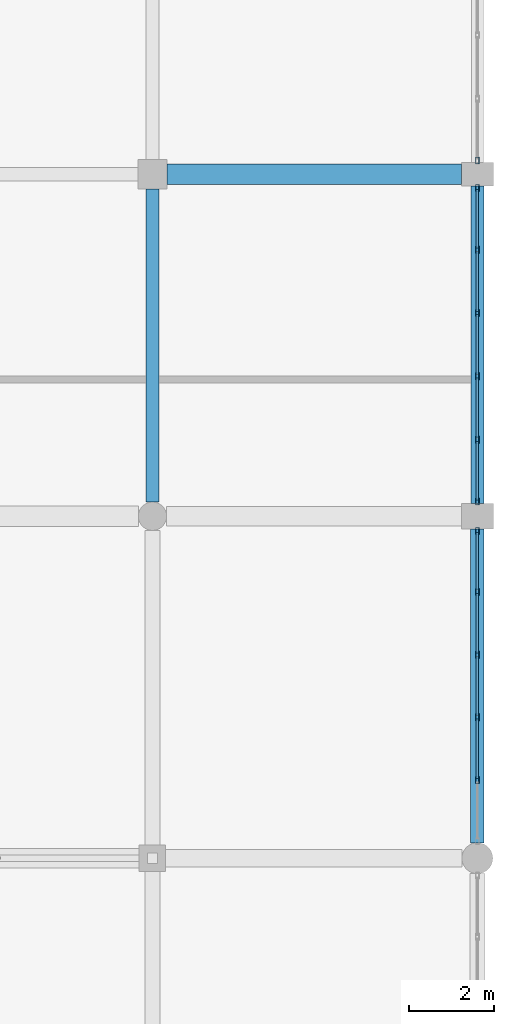
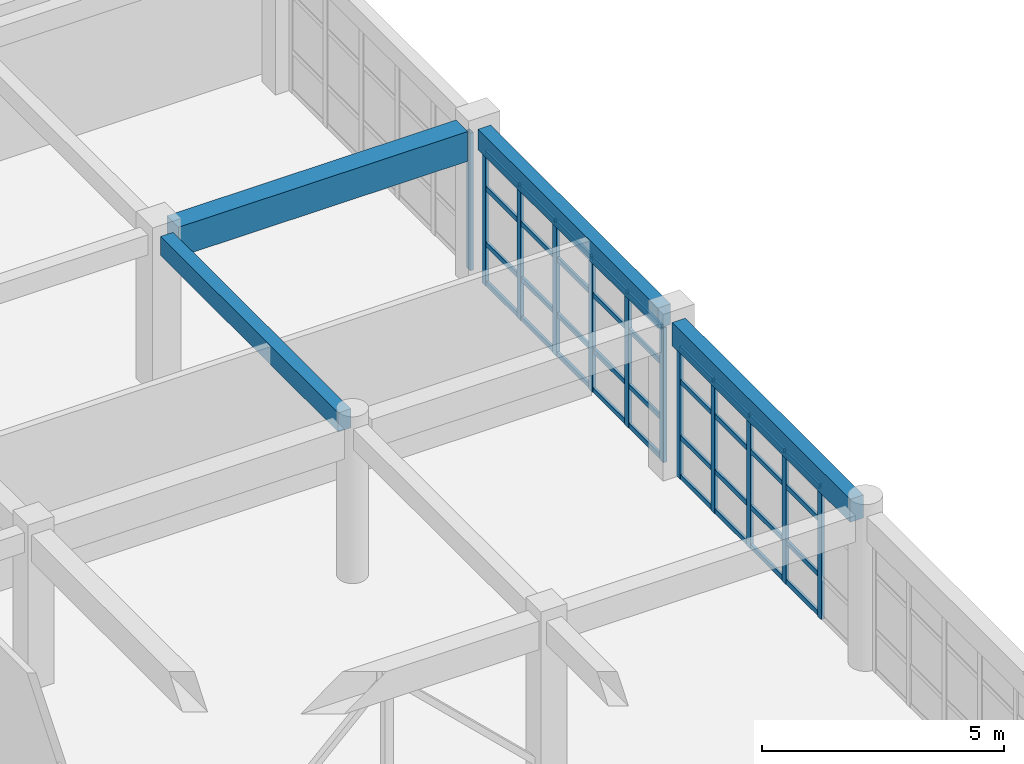
# One storey, part 129 of 195: 48 members, 4 beams, 3 elements without a shape of their own.
"""IFC4 building model written with IfcOpenShell, lengths in metres."""

from ifc_helpers import new_model, si_unit, direction, frame, origin, origin_2d, place, context, subcontext, project, spatial, rectangle, hollow_rectangle, extrude, material, material_profile, profile_set, type_object, element, aggregate, save


model = new_model("IFC4")

# Units and contexts
model_context = context("Model", 3, precision=1e-05, world=origin(), true_north=direction((0.0, 1.0)))
body_context = subcontext(model_context, "Body", "Model", "MODEL_VIEW")
ifc_project = project(units=[si_unit("LENGTHUNIT", "METRE"), si_unit("AREAUNIT", "SQUARE_METRE"), si_unit("VOLUMEUNIT", "CUBIC_METRE"), si_unit("PLANEANGLEUNIT", "RADIAN"), si_unit("MASSUNIT", "GRAM", prefix="KILO")], contexts=[model_context])

# Site, building, storey
site_placement = place(None, origin())
site = spatial("IfcSite", under=ifc_project, at=site_placement, CompositionType="ELEMENT")
building_placement = place(site_placement, origin())
building = spatial("IfcBuilding", under=site, at=building_placement, Name="Kharva Crest Polytechnic", CompositionType="ELEMENT")
storey_placement = place(building_placement, frame((0.0, 0.0, 9.0)))
storey = spatial("IfcBuildingStorey", under=building, at=storey_placement, Name="L02", CompositionType="ELEMENT", Elevation=9.0)

# Beams
ifc_material_1 = material(Name="Concrete C35/45", Category="concrete")
ifc_material_profile_1 = material_profile(ifc_material_1, rectangle(XDim=0.300048828125, YDim=0.47998046875, at=origin_2d()), Name="RECT 300 X 480")
ifc_profile_set_1 = profile_set([ifc_material_profile_1], Name="Concrete C35/45")
beam_type_1 = type_object("IfcBeamType", Name="BM-RC-300X480", PredefinedType="BEAM", material=ifc_profile_set_1)
beam_1_placement = place(storey_placement, frame((176.39990234375, 55.1298828125, 3.679931640625), z_axis=(0.0, 1.0, 0.0), x_axis=(-1.0, 0.0, 0.0)))
element("IfcBeam", 1, at=beam_1_placement, inside=storey, type_object=beam_type_1, Name="L02 Girder 23/H-J", PredefinedType="BEAM", context=body_context, shape_type="SweptSolid", body=[
    extrude(rectangle(XDim=0.300048828125, YDim=0.47998046875, at=origin_2d()), origin(), (0.0, 0.0, 1.0), 7.330078125),
])
ifc_material_profile_2 = material_profile(ifc_material_1, rectangle(XDim=0.47998046875, YDim=0.75, at=origin_2d()), Name="RECT 480 X 750")
ifc_profile_set_2 = profile_set([ifc_material_profile_2], Name="Concrete C35/45")
beam_type_2 = type_object("IfcBeamType", Name="BM-RC-480X750", PredefinedType="BEAM", material=ifc_profile_set_2)
beam_2_placement = place(storey_placement, frame((176.739990234375, 62.800048828125, 3.544921875), z_axis=(1.0, 0.0, 0.0), x_axis=(0.0, 1.0, 0.0)))
element("IfcBeam", 2, at=beam_2_placement, inside=storey, type_object=beam_type_2, Name="L02 Beam J/23-24", PredefinedType="BEAM", context=body_context, shape_type="SweptSolid", body=[
    extrude(rectangle(XDim=0.47998046875, YDim=0.75, at=origin_2d()), origin(), (0.0, 0.0, 1.0), 6.885009765625),
])

# Curtain wall, members
ifc_material_2 = material(Name="Tempered insulated glass", Category="glass")
curtain_wall_type = type_object("IfcCurtainWallType", Name="CW-SYS-COURT", PredefinedType="USERDEFINED", material=ifc_material_2)
curtain_wall_1_placement = place(storey_placement, origin())
curtain_wall_1 = element("IfcCurtainWall", 3, at=curtain_wall_1_placement, inside=storey, type_object=curtain_wall_type, Name="L02 Glazed Curtain Wall CW-104", ObjectType="CURTAIN WALL", PredefinedType="USERDEFINED")
ifc_material_3 = material(Name="Steel S355", Category="steel")
ifc_material_profile_3 = material_profile(ifc_material_3, hollow_rectangle(XDim=0.080078125, YDim=0.159912109375, WallThickness=0.0048828125, at=origin_2d()), Name="RHS 160X80X5.0")
ifc_profile_set_3 = profile_set([ifc_material_profile_3], Name="Steel S355")
member_type_1 = type_object("IfcMemberType", Name="CWM-RHS160X80", PredefinedType="MULLION", material=ifc_profile_set_3)
member_1_placement = place(storey_placement, frame((184.0, 48.631103515625, 0.0), z_axis=(0.0, 0.0, 1.0), x_axis=(-1.0, 0.0, 0.0)))
member_1 = element("IfcMember", 4, at=member_1_placement, type_object=member_type_1, Name="CW-104 mullion 2", PredefinedType="MULLION", context=body_context, shape_type="SweptSolid", body=[
    extrude(hollow_rectangle(XDim=0.080078125, YDim=0.159912109375, WallThickness=0.0048828125, at=origin_2d()), origin(), (0.0, 0.0, 1.0), 3.340087890625),
])
member_2_placement = place(storey_placement, frame((184.0, 50.096923828125, 0.0), z_axis=(0.0, 0.0, 1.0), x_axis=(-1.0, 0.0, 0.0)))
member_2 = element("IfcMember", 5, at=member_2_placement, type_object=member_type_1, Name="CW-104 mullion 3", PredefinedType="MULLION", context=body_context, shape_type="SweptSolid", body=[
    extrude(hollow_rectangle(XDim=0.080078125, YDim=0.159912109375, WallThickness=0.0048828125, at=origin_2d()), origin(), (0.0, 0.0, 1.0), 3.340087890625),
])
member_3_placement = place(storey_placement, frame((184.0, 51.56298828125, 0.0), z_axis=(0.0, 0.0, 1.0), x_axis=(-1.0, 0.0, 0.0)))
member_3 = element("IfcMember", 6, at=member_3_placement, type_object=member_type_1, Name="CW-104 mullion 4", PredefinedType="MULLION", context=body_context, shape_type="SweptSolid", body=[
    extrude(hollow_rectangle(XDim=0.080078125, YDim=0.159912109375, WallThickness=0.0048828125, at=origin_2d()), origin(), (0.0, 0.0, 1.0), 3.340087890625),
])
member_4_placement = place(storey_placement, frame((184.0, 53.029052734375, 0.0), z_axis=(0.0, 0.0, 1.0), x_axis=(-1.0, 0.0, 0.0)))
member_4 = element("IfcMember", 7, at=member_4_placement, type_object=member_type_1, Name="CW-104 mullion 5", PredefinedType="MULLION", context=body_context, shape_type="SweptSolid", body=[
    extrude(hollow_rectangle(XDim=0.080078125, YDim=0.159912109375, WallThickness=0.0048828125, at=origin_2d()), origin(), (0.0, 0.0, 1.0), 3.340087890625),
])
member_5_placement = place(storey_placement, frame((184.0, 54.455078125, 0.0), z_axis=(0.0, 0.0, 1.0), x_axis=(-1.0, 0.0, 0.0)))
member_5 = element("IfcMember", 8, at=member_5_placement, type_object=member_type_1, Name="CW-104 mullion 6", PredefinedType="MULLION", context=body_context, shape_type="SweptSolid", body=[
    extrude(hollow_rectangle(XDim=0.080078125, YDim=0.159912109375, WallThickness=0.0048828125, at=origin_2d()), origin(), (0.0, 0.0, 1.0), 3.340087890625),
])

curtain_wall_2_placement = place(storey_placement, origin())
curtain_wall_2 = element("IfcCurtainWall", 9, at=curtain_wall_2_placement, inside=storey, type_object=curtain_wall_type, Name="L02 Glazed Curtain Wall CW-105", ObjectType="CURTAIN WALL", PredefinedType="USERDEFINED")
member_6_placement = place(storey_placement, frame((184.0, 55.14501953125, 0.0), z_axis=(0.0, 0.0, 1.0), x_axis=(-1.0, 0.0, 0.0)))
member_6 = element("IfcMember", 10, at=member_6_placement, type_object=member_type_1, Name="CW-105 mullion 1", PredefinedType="MULLION", context=body_context, shape_type="SweptSolid", body=[
    extrude(hollow_rectangle(XDim=0.080078125, YDim=0.159912109375, WallThickness=0.0048828125, at=origin_2d()), origin(), (0.0, 0.0, 1.0), 3.39990234375),
])
member_7_placement = place(storey_placement, frame((184.0, 56.587890625, 0.0), z_axis=(0.0, 0.0, 1.0), x_axis=(-1.0, 0.0, 0.0)))
member_7 = element("IfcMember", 11, at=member_7_placement, type_object=member_type_1, Name="CW-105 mullion 2", PredefinedType="MULLION", context=body_context, shape_type="SweptSolid", body=[
    extrude(hollow_rectangle(XDim=0.080078125, YDim=0.159912109375, WallThickness=0.0048828125, at=origin_2d()), origin(), (0.0, 0.0, 1.0), 3.39990234375),
])
member_8_placement = place(storey_placement, frame((184.0, 58.071044921875, 0.0), z_axis=(0.0, 0.0, 1.0), x_axis=(-1.0, 0.0, 0.0)))
member_8 = element("IfcMember", 12, at=member_8_placement, type_object=member_type_1, Name="CW-105 mullion 3", PredefinedType="MULLION", context=body_context, shape_type="SweptSolid", body=[
    extrude(hollow_rectangle(XDim=0.080078125, YDim=0.159912109375, WallThickness=0.0048828125, at=origin_2d()), origin(), (0.0, 0.0, 1.0), 3.39990234375),
])
member_9_placement = place(storey_placement, frame((184.0, 59.553955078125, 0.0), z_axis=(0.0, 0.0, 1.0), x_axis=(-1.0, 0.0, 0.0)))
member_9 = element("IfcMember", 13, at=member_9_placement, type_object=member_type_1, Name="CW-105 mullion 4", PredefinedType="MULLION", context=body_context, shape_type="SweptSolid", body=[
    extrude(hollow_rectangle(XDim=0.080078125, YDim=0.159912109375, WallThickness=0.0048828125, at=origin_2d()), origin(), (0.0, 0.0, 1.0), 3.39990234375),
])
member_10_placement = place(storey_placement, frame((184.0, 61.037109375, 0.0), z_axis=(0.0, 0.0, 1.0), x_axis=(-1.0, 0.0, 0.0)))
member_10 = element("IfcMember", 14, at=member_10_placement, type_object=member_type_1, Name="CW-105 mullion 5", PredefinedType="MULLION", context=body_context, shape_type="SweptSolid", body=[
    extrude(hollow_rectangle(XDim=0.080078125, YDim=0.159912109375, WallThickness=0.0048828125, at=origin_2d()), origin(), (0.0, 0.0, 1.0), 3.39990234375),
])
member_11_placement = place(storey_placement, frame((184.0, 62.47998046875, 0.0), z_axis=(0.0, 0.0, 1.0), x_axis=(-1.0, 0.0, 0.0)))
member_11 = element("IfcMember", 15, at=member_11_placement, type_object=member_type_1, Name="CW-105 mullion 6", PredefinedType="MULLION", context=body_context, shape_type="SweptSolid", body=[
    extrude(hollow_rectangle(XDim=0.080078125, YDim=0.159912109375, WallThickness=0.0048828125, at=origin_2d()), origin(), (0.0, 0.0, 1.0), 3.39990234375),
])

# Curtain wall, member
curtain_wall_3_placement = place(storey_placement, origin())
curtain_wall_3 = element("IfcCurtainWall", 16, at=curtain_wall_3_placement, inside=storey, type_object=curtain_wall_type, Name="L02 Glazed Curtain Wall CW-106", ObjectType="CURTAIN WALL", PredefinedType="USERDEFINED")
member_12_placement = place(storey_placement, frame((184.0, 63.1201171875, 0.0), z_axis=(0.0, 0.0, 1.0), x_axis=(-1.0, 0.0, 0.0)))
member_12 = element("IfcMember", 17, at=member_12_placement, type_object=member_type_1, Name="CW-106 mullion 1", PredefinedType="MULLION", context=body_context, shape_type="SweptSolid", body=[
    extrude(hollow_rectangle(XDim=0.080078125, YDim=0.159912109375, WallThickness=0.0048828125, at=origin_2d()), origin(), (0.0, 0.0, 1.0), 3.4599609375),
])
aggregate(curtain_wall_3, [member_12])

# Member
ifc_material_profile_4 = material_profile(ifc_material_3, hollow_rectangle(XDim=0.06005859375, YDim=0.1201171875, WallThickness=0.00390625, at=origin_2d()), Name="RHS 120X60X4.0")
ifc_profile_set_4 = profile_set([ifc_material_profile_4], Name="Steel S355")
member_type_2 = type_object("IfcMemberType", Name="CWT-RHS120X60", PredefinedType="USERDEFINED", material=ifc_profile_set_4)
member_13_placement = place(storey_placement, frame((184.0, 48.6708984375, 0.06005859375), z_axis=(0.0, 1.0, 0.0), x_axis=(-1.0, 0.0, 0.0)))
member_13 = element("IfcMember", 18, at=member_13_placement, type_object=member_type_2, Name="CW-104 transom 2.1", ObjectType="TRANSOM", PredefinedType="USERDEFINED", context=body_context, shape_type="SweptSolid", body=[
    extrude(hollow_rectangle(XDim=0.06005859375, YDim=0.1201171875, WallThickness=0.00390625, at=origin_2d()), origin(), (0.0, 0.0, 1.0), 1.385986328125),
])

member_14_placement = place(storey_placement, frame((184.0, 48.6708984375, 1.050048828125), z_axis=(0.0, 1.0, 0.0), x_axis=(-1.0, 0.0, 0.0)))
member_14 = element("IfcMember", 19, at=member_14_placement, type_object=member_type_2, Name="CW-104 transom 2.2", ObjectType="TRANSOM", PredefinedType="USERDEFINED", context=body_context, shape_type="SweptSolid", body=[
    extrude(hollow_rectangle(XDim=0.06005859375, YDim=0.1201171875, WallThickness=0.00390625, at=origin_2d()), origin(), (0.0, 0.0, 1.0), 1.385986328125),
])

member_15_placement = place(storey_placement, frame((184.0, 48.6708984375, 2.449951171875), z_axis=(0.0, 1.0, 0.0), x_axis=(-1.0, 0.0, 0.0)))
member_15 = element("IfcMember", 20, at=member_15_placement, type_object=member_type_2, Name="CW-104 transom 2.3", ObjectType="TRANSOM", PredefinedType="USERDEFINED", context=body_context, shape_type="SweptSolid", body=[
    extrude(hollow_rectangle(XDim=0.06005859375, YDim=0.1201171875, WallThickness=0.00390625, at=origin_2d()), origin(), (0.0, 0.0, 1.0), 1.385986328125),
])

member_16_placement = place(storey_placement, frame((184.0, 48.6708984375, 3.280029296875), z_axis=(0.0, 1.0, 0.0), x_axis=(-1.0, 0.0, 0.0)))
member_16 = element("IfcMember", 21, at=member_16_placement, type_object=member_type_2, Name="CW-104 transom 2.4", ObjectType="TRANSOM", PredefinedType="USERDEFINED", context=body_context, shape_type="SweptSolid", body=[
    extrude(hollow_rectangle(XDim=0.06005859375, YDim=0.1201171875, WallThickness=0.00390625, at=origin_2d()), origin(), (0.0, 0.0, 1.0), 1.385986328125),
])

member_17_placement = place(storey_placement, frame((184.0, 50.136962890625, 0.06005859375), z_axis=(0.0, 1.0, 0.0), x_axis=(-1.0, 0.0, 0.0)))
member_17 = element("IfcMember", 22, at=member_17_placement, type_object=member_type_2, Name="CW-104 transom 3.1", ObjectType="TRANSOM", PredefinedType="USERDEFINED", context=body_context, shape_type="SweptSolid", body=[
    extrude(hollow_rectangle(XDim=0.06005859375, YDim=0.1201171875, WallThickness=0.00390625, at=origin_2d()), origin(), (0.0, 0.0, 1.0), 1.385986328125),
])

member_18_placement = place(storey_placement, frame((184.0, 50.136962890625, 1.050048828125), z_axis=(0.0, 1.0, 0.0), x_axis=(-1.0, 0.0, 0.0)))
member_18 = element("IfcMember", 23, at=member_18_placement, type_object=member_type_2, Name="CW-104 transom 3.2", ObjectType="TRANSOM", PredefinedType="USERDEFINED", context=body_context, shape_type="SweptSolid", body=[
    extrude(hollow_rectangle(XDim=0.06005859375, YDim=0.1201171875, WallThickness=0.00390625, at=origin_2d()), origin(), (0.0, 0.0, 1.0), 1.385986328125),
])

member_19_placement = place(storey_placement, frame((184.0, 50.136962890625, 2.449951171875), z_axis=(0.0, 1.0, 0.0), x_axis=(-1.0, 0.0, 0.0)))
member_19 = element("IfcMember", 24, at=member_19_placement, type_object=member_type_2, Name="CW-104 transom 3.3", ObjectType="TRANSOM", PredefinedType="USERDEFINED", context=body_context, shape_type="SweptSolid", body=[
    extrude(hollow_rectangle(XDim=0.06005859375, YDim=0.1201171875, WallThickness=0.00390625, at=origin_2d()), origin(), (0.0, 0.0, 1.0), 1.385986328125),
])

member_20_placement = place(storey_placement, frame((184.0, 50.136962890625, 3.280029296875), z_axis=(0.0, 1.0, 0.0), x_axis=(-1.0, 0.0, 0.0)))
member_20 = element("IfcMember", 25, at=member_20_placement, type_object=member_type_2, Name="CW-104 transom 3.4", ObjectType="TRANSOM", PredefinedType="USERDEFINED", context=body_context, shape_type="SweptSolid", body=[
    extrude(hollow_rectangle(XDim=0.06005859375, YDim=0.1201171875, WallThickness=0.00390625, at=origin_2d()), origin(), (0.0, 0.0, 1.0), 1.385986328125),
])

member_21_placement = place(storey_placement, frame((184.0, 51.60302734375, 0.06005859375), z_axis=(0.0, 1.0, 0.0), x_axis=(-1.0, 0.0, 0.0)))
member_21 = element("IfcMember", 26, at=member_21_placement, type_object=member_type_2, Name="CW-104 transom 4.1", ObjectType="TRANSOM", PredefinedType="USERDEFINED", context=body_context, shape_type="SweptSolid", body=[
    extrude(hollow_rectangle(XDim=0.06005859375, YDim=0.1201171875, WallThickness=0.00390625, at=origin_2d()), origin(), (0.0, 0.0, 1.0), 1.385986328125),
])

member_22_placement = place(storey_placement, frame((184.0, 51.60302734375, 1.050048828125), z_axis=(0.0, 1.0, 0.0), x_axis=(-1.0, 0.0, 0.0)))
member_22 = element("IfcMember", 27, at=member_22_placement, type_object=member_type_2, Name="CW-104 transom 4.2", ObjectType="TRANSOM", PredefinedType="USERDEFINED", context=body_context, shape_type="SweptSolid", body=[
    extrude(hollow_rectangle(XDim=0.06005859375, YDim=0.1201171875, WallThickness=0.00390625, at=origin_2d()), origin(), (0.0, 0.0, 1.0), 1.385986328125),
])

member_23_placement = place(storey_placement, frame((184.0, 51.60302734375, 2.449951171875), z_axis=(0.0, 1.0, 0.0), x_axis=(-1.0, 0.0, 0.0)))
member_23 = element("IfcMember", 28, at=member_23_placement, type_object=member_type_2, Name="CW-104 transom 4.3", ObjectType="TRANSOM", PredefinedType="USERDEFINED", context=body_context, shape_type="SweptSolid", body=[
    extrude(hollow_rectangle(XDim=0.06005859375, YDim=0.1201171875, WallThickness=0.00390625, at=origin_2d()), origin(), (0.0, 0.0, 1.0), 1.385986328125),
])

member_24_placement = place(storey_placement, frame((184.0, 51.60302734375, 3.280029296875), z_axis=(0.0, 1.0, 0.0), x_axis=(-1.0, 0.0, 0.0)))
member_24 = element("IfcMember", 29, at=member_24_placement, type_object=member_type_2, Name="CW-104 transom 4.4", ObjectType="TRANSOM", PredefinedType="USERDEFINED", context=body_context, shape_type="SweptSolid", body=[
    extrude(hollow_rectangle(XDim=0.06005859375, YDim=0.1201171875, WallThickness=0.00390625, at=origin_2d()), origin(), (0.0, 0.0, 1.0), 1.385986328125),
])

member_25_placement = place(storey_placement, frame((184.0, 53.069091796875, 0.06005859375), z_axis=(0.0, 1.0, 0.0), x_axis=(-1.0, 0.0, 0.0)))
member_25 = element("IfcMember", 30, at=member_25_placement, type_object=member_type_2, Name="CW-104 transom 5.1", ObjectType="TRANSOM", PredefinedType="USERDEFINED", context=body_context, shape_type="SweptSolid", body=[
    extrude(hollow_rectangle(XDim=0.06005859375, YDim=0.1201171875, WallThickness=0.00390625, at=origin_2d()), origin(), (0.0, 0.0, 1.0), 1.345947265625),
])

member_26_placement = place(storey_placement, frame((184.0, 53.069091796875, 1.050048828125), z_axis=(0.0, 1.0, 0.0), x_axis=(-1.0, 0.0, 0.0)))
member_26 = element("IfcMember", 31, at=member_26_placement, type_object=member_type_2, Name="CW-104 transom 5.2", ObjectType="TRANSOM", PredefinedType="USERDEFINED", context=body_context, shape_type="SweptSolid", body=[
    extrude(hollow_rectangle(XDim=0.06005859375, YDim=0.1201171875, WallThickness=0.00390625, at=origin_2d()), origin(), (0.0, 0.0, 1.0), 1.345947265625),
])

member_27_placement = place(storey_placement, frame((184.0, 53.069091796875, 2.449951171875), z_axis=(0.0, 1.0, 0.0), x_axis=(-1.0, 0.0, 0.0)))
member_27 = element("IfcMember", 32, at=member_27_placement, type_object=member_type_2, Name="CW-104 transom 5.3", ObjectType="TRANSOM", PredefinedType="USERDEFINED", context=body_context, shape_type="SweptSolid", body=[
    extrude(hollow_rectangle(XDim=0.06005859375, YDim=0.1201171875, WallThickness=0.00390625, at=origin_2d()), origin(), (0.0, 0.0, 1.0), 1.345947265625),
])

member_28_placement = place(storey_placement, frame((184.0, 53.069091796875, 3.280029296875), z_axis=(0.0, 1.0, 0.0), x_axis=(-1.0, 0.0, 0.0)))
member_28 = element("IfcMember", 33, at=member_28_placement, type_object=member_type_2, Name="CW-104 transom 5.4", ObjectType="TRANSOM", PredefinedType="USERDEFINED", context=body_context, shape_type="SweptSolid", body=[
    extrude(hollow_rectangle(XDim=0.06005859375, YDim=0.1201171875, WallThickness=0.00390625, at=origin_2d()), origin(), (0.0, 0.0, 1.0), 1.345947265625),
])

aggregate(curtain_wall_1, [member_1, member_2, member_3, member_4, member_5, member_13, member_14, member_15, member_16, member_17, member_18, member_19, member_20, member_21, member_22, member_23, member_24, member_25, member_26, member_27, member_28])

member_29_placement = place(storey_placement, frame((184.0, 55.18505859375, 0.06005859375), z_axis=(0.0, 1.0, 0.0), x_axis=(-1.0, 0.0, 0.0)))
member_29 = element("IfcMember", 34, at=member_29_placement, type_object=member_type_2, Name="CW-105 transom 1.1", ObjectType="TRANSOM", PredefinedType="USERDEFINED", context=body_context, shape_type="SweptSolid", body=[
    extrude(hollow_rectangle(XDim=0.06005859375, YDim=0.1201171875, WallThickness=0.00390625, at=origin_2d()), origin(), (0.0, 0.0, 1.0), 1.363037109375),
])

member_30_placement = place(storey_placement, frame((184.0, 55.18505859375, 1.050048828125), z_axis=(0.0, 1.0, 0.0), x_axis=(-1.0, 0.0, 0.0)))
member_30 = element("IfcMember", 35, at=member_30_placement, type_object=member_type_2, Name="CW-105 transom 1.2", ObjectType="TRANSOM", PredefinedType="USERDEFINED", context=body_context, shape_type="SweptSolid", body=[
    extrude(hollow_rectangle(XDim=0.06005859375, YDim=0.1201171875, WallThickness=0.00390625, at=origin_2d()), origin(), (0.0, 0.0, 1.0), 1.363037109375),
])

member_31_placement = place(storey_placement, frame((184.0, 55.18505859375, 2.449951171875), z_axis=(0.0, 1.0, 0.0), x_axis=(-1.0, 0.0, 0.0)))
member_31 = element("IfcMember", 36, at=member_31_placement, type_object=member_type_2, Name="CW-105 transom 1.3", ObjectType="TRANSOM", PredefinedType="USERDEFINED", context=body_context, shape_type="SweptSolid", body=[
    extrude(hollow_rectangle(XDim=0.06005859375, YDim=0.1201171875, WallThickness=0.00390625, at=origin_2d()), origin(), (0.0, 0.0, 1.0), 1.363037109375),
])

member_32_placement = place(storey_placement, frame((184.0, 55.18505859375, 3.340087890625), z_axis=(0.0, 1.0, 0.0), x_axis=(-1.0, 0.0, 0.0)))
member_32 = element("IfcMember", 37, at=member_32_placement, type_object=member_type_2, Name="CW-105 transom 1.4", ObjectType="TRANSOM", PredefinedType="USERDEFINED", context=body_context, shape_type="SweptSolid", body=[
    extrude(hollow_rectangle(XDim=0.06005859375, YDim=0.1201171875, WallThickness=0.00390625, at=origin_2d()), origin(), (0.0, 0.0, 1.0), 1.363037109375),
])

member_33_placement = place(storey_placement, frame((184.0, 56.6279296875, 0.06005859375), z_axis=(0.0, 1.0, 0.0), x_axis=(-1.0, 0.0, 0.0)))
member_33 = element("IfcMember", 38, at=member_33_placement, type_object=member_type_2, Name="CW-105 transom 2.1", ObjectType="TRANSOM", PredefinedType="USERDEFINED", context=body_context, shape_type="SweptSolid", body=[
    extrude(hollow_rectangle(XDim=0.06005859375, YDim=0.1201171875, WallThickness=0.00390625, at=origin_2d()), origin(), (0.0, 0.0, 1.0), 1.403076171875),
])

member_34_placement = place(storey_placement, frame((184.0, 56.6279296875, 1.050048828125), z_axis=(0.0, 1.0, 0.0), x_axis=(-1.0, 0.0, 0.0)))
member_34 = element("IfcMember", 39, at=member_34_placement, type_object=member_type_2, Name="CW-105 transom 2.2", ObjectType="TRANSOM", PredefinedType="USERDEFINED", context=body_context, shape_type="SweptSolid", body=[
    extrude(hollow_rectangle(XDim=0.06005859375, YDim=0.1201171875, WallThickness=0.00390625, at=origin_2d()), origin(), (0.0, 0.0, 1.0), 1.403076171875),
])

member_35_placement = place(storey_placement, frame((184.0, 56.6279296875, 2.449951171875), z_axis=(0.0, 1.0, 0.0), x_axis=(-1.0, 0.0, 0.0)))
member_35 = element("IfcMember", 40, at=member_35_placement, type_object=member_type_2, Name="CW-105 transom 2.3", ObjectType="TRANSOM", PredefinedType="USERDEFINED", context=body_context, shape_type="SweptSolid", body=[
    extrude(hollow_rectangle(XDim=0.06005859375, YDim=0.1201171875, WallThickness=0.00390625, at=origin_2d()), origin(), (0.0, 0.0, 1.0), 1.403076171875),
])

member_36_placement = place(storey_placement, frame((184.0, 56.6279296875, 3.340087890625), z_axis=(0.0, 1.0, 0.0), x_axis=(-1.0, 0.0, 0.0)))
member_36 = element("IfcMember", 41, at=member_36_placement, type_object=member_type_2, Name="CW-105 transom 2.4", ObjectType="TRANSOM", PredefinedType="USERDEFINED", context=body_context, shape_type="SweptSolid", body=[
    extrude(hollow_rectangle(XDim=0.06005859375, YDim=0.1201171875, WallThickness=0.00390625, at=origin_2d()), origin(), (0.0, 0.0, 1.0), 1.403076171875),
])

member_37_placement = place(storey_placement, frame((184.0, 58.111083984375, 0.06005859375), z_axis=(0.0, 1.0, 0.0), x_axis=(-1.0, 0.0, 0.0)))
member_37 = element("IfcMember", 42, at=member_37_placement, type_object=member_type_2, Name="CW-105 transom 3.1", ObjectType="TRANSOM", PredefinedType="USERDEFINED", context=body_context, shape_type="SweptSolid", body=[
    extrude(hollow_rectangle(XDim=0.06005859375, YDim=0.1201171875, WallThickness=0.00390625, at=origin_2d()), origin(), (0.0, 0.0, 1.0), 1.40283203125),
])

member_38_placement = place(storey_placement, frame((184.0, 58.111083984375, 1.050048828125), z_axis=(0.0, 1.0, 0.0), x_axis=(-1.0, 0.0, 0.0)))
member_38 = element("IfcMember", 43, at=member_38_placement, type_object=member_type_2, Name="CW-105 transom 3.2", ObjectType="TRANSOM", PredefinedType="USERDEFINED", context=body_context, shape_type="SweptSolid", body=[
    extrude(hollow_rectangle(XDim=0.06005859375, YDim=0.1201171875, WallThickness=0.00390625, at=origin_2d()), origin(), (0.0, 0.0, 1.0), 1.40283203125),
])

member_39_placement = place(storey_placement, frame((184.0, 58.111083984375, 2.449951171875), z_axis=(0.0, 1.0, 0.0), x_axis=(-1.0, 0.0, 0.0)))
member_39 = element("IfcMember", 44, at=member_39_placement, type_object=member_type_2, Name="CW-105 transom 3.3", ObjectType="TRANSOM", PredefinedType="USERDEFINED", context=body_context, shape_type="SweptSolid", body=[
    extrude(hollow_rectangle(XDim=0.06005859375, YDim=0.1201171875, WallThickness=0.00390625, at=origin_2d()), origin(), (0.0, 0.0, 1.0), 1.40283203125),
])

member_40_placement = place(storey_placement, frame((184.0, 58.111083984375, 3.340087890625), z_axis=(0.0, 1.0, 0.0), x_axis=(-1.0, 0.0, 0.0)))
member_40 = element("IfcMember", 45, at=member_40_placement, type_object=member_type_2, Name="CW-105 transom 3.4", ObjectType="TRANSOM", PredefinedType="USERDEFINED", context=body_context, shape_type="SweptSolid", body=[
    extrude(hollow_rectangle(XDim=0.06005859375, YDim=0.1201171875, WallThickness=0.00390625, at=origin_2d()), origin(), (0.0, 0.0, 1.0), 1.40283203125),
])

member_41_placement = place(storey_placement, frame((184.0, 59.593994140625, 0.06005859375), z_axis=(0.0, 1.0, 0.0), x_axis=(-1.0, 0.0, 0.0)))
member_41 = element("IfcMember", 46, at=member_41_placement, type_object=member_type_2, Name="CW-105 transom 4.1", ObjectType="TRANSOM", PredefinedType="USERDEFINED", context=body_context, shape_type="SweptSolid", body=[
    extrude(hollow_rectangle(XDim=0.06005859375, YDim=0.1201171875, WallThickness=0.00390625, at=origin_2d()), origin(), (0.0, 0.0, 1.0), 1.403076171875),
])

member_42_placement = place(storey_placement, frame((184.0, 59.593994140625, 1.050048828125), z_axis=(0.0, 1.0, 0.0), x_axis=(-1.0, 0.0, 0.0)))
member_42 = element("IfcMember", 47, at=member_42_placement, type_object=member_type_2, Name="CW-105 transom 4.2", ObjectType="TRANSOM", PredefinedType="USERDEFINED", context=body_context, shape_type="SweptSolid", body=[
    extrude(hollow_rectangle(XDim=0.06005859375, YDim=0.1201171875, WallThickness=0.00390625, at=origin_2d()), origin(), (0.0, 0.0, 1.0), 1.403076171875),
])

member_43_placement = place(storey_placement, frame((184.0, 59.593994140625, 2.449951171875), z_axis=(0.0, 1.0, 0.0), x_axis=(-1.0, 0.0, 0.0)))
member_43 = element("IfcMember", 48, at=member_43_placement, type_object=member_type_2, Name="CW-105 transom 4.3", ObjectType="TRANSOM", PredefinedType="USERDEFINED", context=body_context, shape_type="SweptSolid", body=[
    extrude(hollow_rectangle(XDim=0.06005859375, YDim=0.1201171875, WallThickness=0.00390625, at=origin_2d()), origin(), (0.0, 0.0, 1.0), 1.403076171875),
])

member_44_placement = place(storey_placement, frame((184.0, 59.593994140625, 3.340087890625), z_axis=(0.0, 1.0, 0.0), x_axis=(-1.0, 0.0, 0.0)))
member_44 = element("IfcMember", 49, at=member_44_placement, type_object=member_type_2, Name="CW-105 transom 4.4", ObjectType="TRANSOM", PredefinedType="USERDEFINED", context=body_context, shape_type="SweptSolid", body=[
    extrude(hollow_rectangle(XDim=0.06005859375, YDim=0.1201171875, WallThickness=0.00390625, at=origin_2d()), origin(), (0.0, 0.0, 1.0), 1.403076171875),
])

member_45_placement = place(storey_placement, frame((184.0, 61.076904296875, 0.06005859375), z_axis=(0.0, 1.0, 0.0), x_axis=(-1.0, 0.0, 0.0)))
member_45 = element("IfcMember", 50, at=member_45_placement, type_object=member_type_2, Name="CW-105 transom 5.1", ObjectType="TRANSOM", PredefinedType="USERDEFINED", context=body_context, shape_type="SweptSolid", body=[
    extrude(hollow_rectangle(XDim=0.06005859375, YDim=0.1201171875, WallThickness=0.00390625, at=origin_2d()), origin(), (0.0, 0.0, 1.0), 1.363037109375),
])

member_46_placement = place(storey_placement, frame((184.0, 61.076904296875, 1.050048828125), z_axis=(0.0, 1.0, 0.0), x_axis=(-1.0, 0.0, 0.0)))
member_46 = element("IfcMember", 51, at=member_46_placement, type_object=member_type_2, Name="CW-105 transom 5.2", ObjectType="TRANSOM", PredefinedType="USERDEFINED", context=body_context, shape_type="SweptSolid", body=[
    extrude(hollow_rectangle(XDim=0.06005859375, YDim=0.1201171875, WallThickness=0.00390625, at=origin_2d()), origin(), (0.0, 0.0, 1.0), 1.363037109375),
])

member_47_placement = place(storey_placement, frame((184.0, 61.076904296875, 2.449951171875), z_axis=(0.0, 1.0, 0.0), x_axis=(-1.0, 0.0, 0.0)))
member_47 = element("IfcMember", 52, at=member_47_placement, type_object=member_type_2, Name="CW-105 transom 5.3", ObjectType="TRANSOM", PredefinedType="USERDEFINED", context=body_context, shape_type="SweptSolid", body=[
    extrude(hollow_rectangle(XDim=0.06005859375, YDim=0.1201171875, WallThickness=0.00390625, at=origin_2d()), origin(), (0.0, 0.0, 1.0), 1.363037109375),
])

member_48_placement = place(storey_placement, frame((184.0, 61.076904296875, 3.340087890625), z_axis=(0.0, 1.0, 0.0), x_axis=(-1.0, 0.0, 0.0)))
member_48 = element("IfcMember", 53, at=member_48_placement, type_object=member_type_2, Name="CW-105 transom 5.4", ObjectType="TRANSOM", PredefinedType="USERDEFINED", context=body_context, shape_type="SweptSolid", body=[
    extrude(hollow_rectangle(XDim=0.06005859375, YDim=0.1201171875, WallThickness=0.00390625, at=origin_2d()), origin(), (0.0, 0.0, 1.0), 1.363037109375),
])

aggregate(curtain_wall_2, [member_6, member_7, member_8, member_9, member_10, member_11, member_29, member_30, member_31, member_32, member_33, member_34, member_35, member_36, member_37, member_38, member_39, member_40, member_41, member_42, member_43, member_44, member_45, member_46, member_47, member_48])

# Beams
ifc_material_profile_5 = material_profile(ifc_material_1, rectangle(XDim=0.300048828125, YDim=0.52001953125, at=origin_2d()), Name="RECT 300 X 520")
ifc_profile_set_5 = profile_set([ifc_material_profile_5], Name="Concrete C35/45")
beam_type_3 = type_object("IfcBeamType", Name="SP-RC-300X520", PredefinedType="SPANDREL", material=ifc_profile_set_5)
beam_3_placement = place(storey_placement, frame((184.0, 55.10009765625, 3.659912109375), z_axis=(0.0, 1.0, 0.0), x_axis=(-1.0, 0.0, 0.0)))
element("IfcBeam", 54, at=beam_3_placement, inside=storey, type_object=beam_type_3, Name="L02 Girder 24/H-J", PredefinedType="SPANDREL", context=body_context, shape_type="SweptSolid", body=[
    extrude(rectangle(XDim=0.300048828125, YDim=0.52001953125, at=origin_2d()), origin(), (0.0, 0.0, 1.0), 7.4248046875),
])
ifc_material_profile_6 = material_profile(ifc_material_1, rectangle(XDim=0.320068359375, YDim=0.580078125, at=origin_2d()), Name="RECT 320 X 580")
ifc_profile_set_6 = profile_set([ifc_material_profile_6], Name="Concrete C35/45")
beam_type_4 = type_object("IfcBeamType", Name="SP-RC-320X580", PredefinedType="SPANDREL", material=ifc_profile_set_6)
beam_4_placement = place(storey_placement, frame((184.0, 47.159912109375, 3.6298828125), z_axis=(0.0, 1.0, 0.0), x_axis=(-1.0, 0.0, 0.0)))
element("IfcBeam", 55, at=beam_4_placement, inside=storey, type_object=beam_type_4, Name="L02 Girder 24/G-H", PredefinedType="SPANDREL", context=body_context, shape_type="SweptSolid", body=[
    extrude(rectangle(XDim=0.320068359375, YDim=0.580078125, at=origin_2d()), origin(), (0.0, 0.0, 1.0), 7.340087890625),
])

save(model, "model.ifc")
